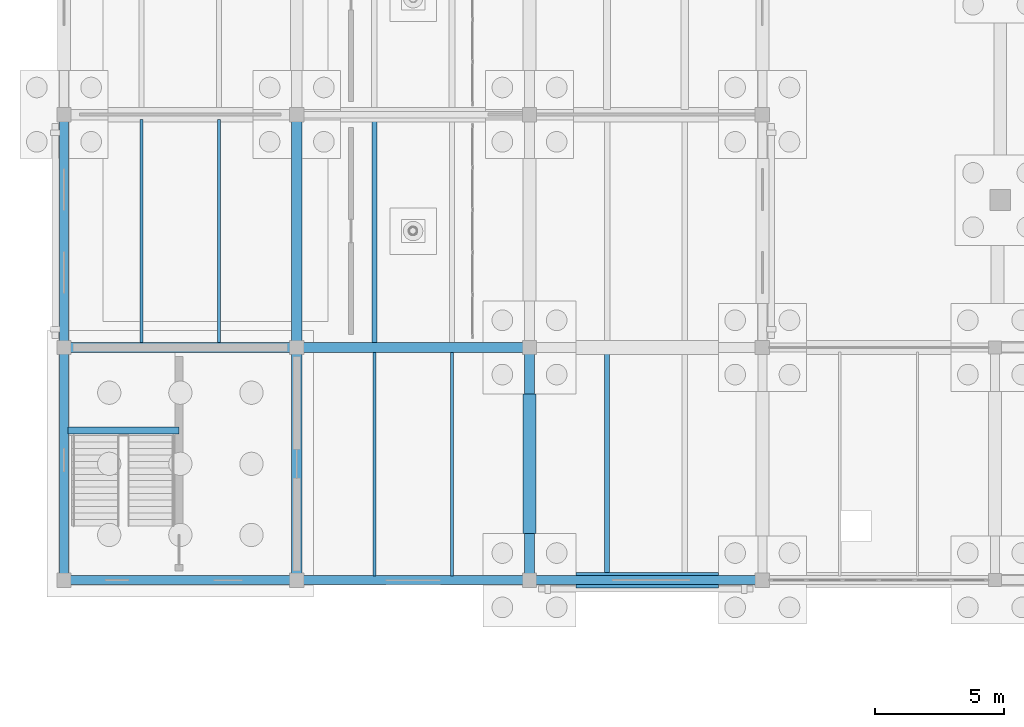
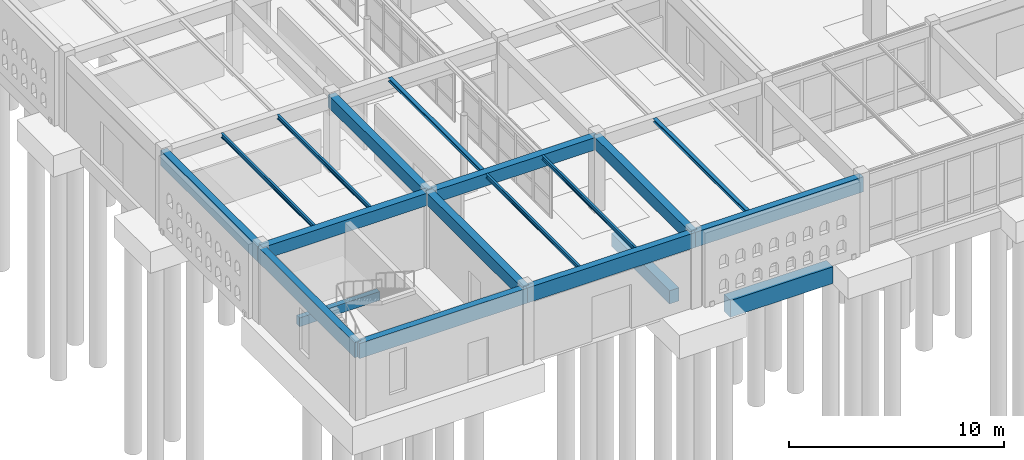
# One storey, part 23 of 186: 19 beams.
"""IFC4 building model written with IfcOpenShell, lengths in metres."""

import ifcopenshell
import ifcopenshell.guid

model = None  # the IFC model being written
_history = None  # IfcOwnerHistory: only IFC2X3 demands one
_inside = {}  # id of a spatial element -> (the spatial element, [elements in it])
_under = {}  # id of a project, library or spatial element -> (it, [spatial elements below it])
_declared = {}  # id of a project -> (the project, [libraries it declares])
_typed = {}  # id of a type object -> (the type object, [elements of that type])
_made_of = {}  # id of a material, layer set ... -> (it, [elements and type objects made of it])


def new_model(schema):
    """Start an empty IFC model of exactly this schema.

    Asked for "IFC4X3", IfcOpenShell would pick the latest addendum, in which some entities
    have other attributes; the version numbers below select the first issue.
    IFC2X3 requires an IfcOwnerHistory on every rooted entity: one is made here for all.
    """
    global model, _history
    if schema == "IFC4X3":
        model = ifcopenshell.file(schema_version=(4, 3, 0, 0))
    else:
        model = ifcopenshell.file(schema=schema)
    _inside.clear()
    _under.clear()
    _declared.clear()
    _typed.clear()
    _made_of.clear()
    _history = None
    if model.schema == "IFC2X3":
        org = make("IfcOrganization", Name="unknown")
        user = make(
            "IfcPersonAndOrganization",
            ThePerson=make("IfcPerson", FamilyName="unknown"),
            TheOrganization=org,
        )
        app = make(
            "IfcApplication",
            ApplicationDeveloper=org,
            Version="unknown",
            ApplicationFullName="unknown",
            ApplicationIdentifier="unknown",
        )
        _history = make(
            "IfcOwnerHistory",
            OwningUser=user,
            OwningApplication=app,
            ChangeAction="ADDED",
            CreationDate=0,
        )
    return model


def make(cls, **values):
    """One entity of the class cls with the attributes given. An attribute that is None is left unset."""
    return model.create_entity(
        cls, **{name: value for name, value in values.items() if value is not None}
    )


def rooted(cls, **values):
    """An entity with a GlobalId (a new one), such as an element, a storey or a relation."""
    return make(cls, GlobalId=ifcopenshell.guid.new(), OwnerHistory=_history, **values)


def si_unit(unit_type, name, prefix=None):
    """IfcSIUnit, for example si_unit("LENGTHUNIT", "METRE", prefix="MILLI")."""
    return make("IfcSIUnit", UnitType=unit_type, Prefix=prefix, Name=name)


def assignment(units):
    """IfcUnitAssignment: the units of a project."""
    return None if units is None else make("IfcUnitAssignment", Units=units)


def point(xyz):
    """IfcCartesianPoint."""
    return None if xyz is None else make("IfcCartesianPoint", Coordinates=xyz)


def direction(xyz):
    """IfcDirection."""
    return None if xyz is None else make("IfcDirection", DirectionRatios=xyz)


def frame(location, z_axis=None, x_axis=None):
    """IfcAxis2Placement3D, a coordinate frame: its origin and axes. An axis left out is left unset."""
    return make(
        "IfcAxis2Placement3D",
        Location=point(location),
        Axis=direction(z_axis),
        RefDirection=direction(x_axis),
    )


def frame_2d(location, x_axis=None):
    """IfcAxis2Placement2D, a coordinate frame in the plane: its origin and x axis."""
    return make(
        "IfcAxis2Placement2D", Location=point(location), RefDirection=direction(x_axis)
    )


def origin():
    """The frame at (0, 0, 0) with its axes left unset."""
    return frame((0.0, 0.0, 0.0))


def origin_2d():
    """The frame at (0, 0) in the plane with its x axis left unset."""
    return frame_2d((0.0, 0.0))


def place(relative_to, where):
    """IfcLocalPlacement: puts the frame where relative to a parent placement (None: the world)."""
    return make(
        "IfcLocalPlacement", PlacementRelTo=relative_to, RelativePlacement=where
    )


def context(
    kind, dimensions, precision=None, world=None, true_north=None, identifier=None
):
    """IfcGeometricRepresentationContext, for example the 3D "Model" context."""
    return make(
        "IfcGeometricRepresentationContext",
        ContextIdentifier=identifier,
        ContextType=kind,
        CoordinateSpaceDimension=dimensions,
        Precision=precision,
        WorldCoordinateSystem=world,
        TrueNorth=true_north,
    )


def subcontext(parent, identifier, kind, view, scale=None):
    """IfcGeometricRepresentationSubContext, for example "Body" below "Model"."""
    return make(
        "IfcGeometricRepresentationSubContext",
        ContextIdentifier=identifier,
        ContextType=kind,
        ParentContext=parent,
        TargetScale=scale,
        TargetView=view,
    )


def project(units=None, contexts=None):
    """IfcProject with its units and contexts."""
    return rooted(
        "IfcProject",
        Name="project",
        RepresentationContexts=contexts,
        UnitsInContext=assignment(units),
    )


def spatial(cls, under=None, at=None, **own):
    """A site, building, storey or space (cls), placed at a placement, below another one or the project."""
    s = rooted(cls, ObjectPlacement=at, **own)
    if under is not None:
        _under.setdefault(under.id(), (under, []))[1].append(s)
    return s


def profile(cls, at=None, kind="AREA", **sizes):
    """A parametric profile (cls). Its sizes go by their IFC names, for example OverallWidth=200.0."""
    return make(cls, ProfileType=kind, Position=at, **sizes)


def rectangle(**sizes):
    """IfcRectangleProfileDef."""
    return profile("IfcRectangleProfileDef", **sizes)


def i_section(**sizes):
    """IfcIShapeProfileDef."""
    return profile("IfcIShapeProfileDef", **sizes)


def extrude(swept, where, along, depth):
    """IfcExtrudedAreaSolid: the profile swept, set in the frame where, extruded along a direction by depth."""
    return make(
        "IfcExtrudedAreaSolid",
        SweptArea=swept,
        Position=where,
        ExtrudedDirection=direction(along),
        Depth=depth,
    )


def shape(context_of_items, identifier, shape_type, items):
    """IfcShapeRepresentation: the items that make up one representation, for example the "Body"."""
    return make(
        "IfcShapeRepresentation",
        ContextOfItems=context_of_items,
        RepresentationIdentifier=identifier,
        RepresentationType=shape_type,
        Items=items,
    )


def material(Name=None, Category=None):
    """IfcMaterial."""
    return make("IfcMaterial", Name=Name, Category=Category)


def material_profile(
    of_material, cross_section, Name=None, Category=None, Priority=None
):
    """IfcMaterialProfile: a cross section and its material."""
    return make(
        "IfcMaterialProfile",
        Name=Name,
        Material=of_material,
        Profile=cross_section,
        Priority=Priority,
        Category=Category,
    )


def profile_set(profiles, Name=None, composite=None):
    """IfcMaterialProfileSet."""
    return make(
        "IfcMaterialProfileSet",
        Name=Name,
        MaterialProfiles=profiles,
        CompositeProfile=composite,
    )


def made_of(thing, what):
    """Note that an element or type object is made of a material, layer set ...; save() writes the relation."""
    if what is not None:
        _made_of.setdefault(what.id(), (what, []))[1].append(thing)
    return thing


def type_object(cls, material=None, **own):
    """A type object (cls), such as IfcWallType, which elements share."""
    return made_of(rooted(cls, **own), material)


def element(
    cls,
    number,
    at=None,
    inside=None,
    cuts=None,
    type_object=None,
    material=None,
    context=None,
    identifier="Body",
    shape_type=None,
    held_by="IfcProductDefinitionShape",
    body=None,
    shapes=None,
    **own,
):
    """One element of the class cls, such as IfcWall. Its Tag is "e" and its number.

    at: its placement. inside: the storey or other place that contains it. cuts: it is an
    opening in that element (IfcRelVoidsElement). A single representation is given by context,
    identifier, shape_type and body (its items); several are given by shapes. held_by: the class
    of the entity that holds the representations. save() writes the other relations.
    """
    e = rooted(cls, Tag="e%d" % number, ObjectPlacement=at, **own)
    if body is not None:
        shapes = [shape(context, identifier, shape_type, body)]
    if shapes is not None:
        e.Representation = make(held_by, Representations=shapes)
    if inside is not None:
        _inside.setdefault(inside.id(), (inside, []))[1].append(e)
    if cuts is not None:
        rooted(
            "IfcRelVoidsElement", RelatingBuildingElement=cuts, RelatedOpeningElement=e
        )
    if type_object is not None:
        _typed.setdefault(type_object.id(), (type_object, []))[1].append(e)
    return made_of(e, material)


def aggregate(whole, parts):
    """IfcRelAggregates: a whole, such as a stair, and the parts it consists of."""
    return rooted("IfcRelAggregates", RelatingObject=whole, RelatedObjects=parts)


def save(model, path):
    """Write the relations noted so far, then the file.

    IfcRelAggregates (storeys below a building ...), IfcRelContainedInSpatialStructure (elements
    in a storey), IfcRelDefinesByType, IfcRelAssociatesMaterial and IfcRelDeclares: one each for
    every whole, place, type object, material and project.
    """
    for whole, parts in _under.values():
        aggregate(whole, parts)
    for where, things in _inside.values():
        rooted(
            "IfcRelContainedInSpatialStructure",
            RelatedElements=things,
            RelatingStructure=where,
        )
    for kind, things in _typed.values():
        rooted("IfcRelDefinesByType", RelatedObjects=things, RelatingType=kind)
    for what, things in _made_of.values():
        rooted("IfcRelAssociatesMaterial", RelatedObjects=things, RelatingMaterial=what)
    for by, libraries in _declared.values():
        rooted("IfcRelDeclares", RelatingContext=by, RelatedDefinitions=libraries)
    model.write(path)


model = new_model("IFC4")

# Units and contexts
model_context = context("Model", 3, precision=1e-05, world=origin(), true_north=direction((0.0, 1.0)))
body_context = subcontext(model_context, "Body", "Model", "MODEL_VIEW")
ifc_project = project(units=[si_unit("LENGTHUNIT", "METRE"), si_unit("AREAUNIT", "SQUARE_METRE"), si_unit("VOLUMEUNIT", "CUBIC_METRE"), si_unit("PLANEANGLEUNIT", "RADIAN"), si_unit("MASSUNIT", "GRAM", prefix="KILO")], contexts=[model_context])

# Site, building, storey
site_placement = place(None, origin())
site = spatial("IfcSite", under=ifc_project, at=site_placement, CompositionType="ELEMENT")
building_placement = place(site_placement, origin())
building = spatial("IfcBuilding", under=site, at=building_placement, Name="Ornek Quay Market", CompositionType="ELEMENT")
storey_placement = place(building_placement, origin())
storey = spatial("IfcBuildingStorey", under=building, at=storey_placement, Name="L00", CompositionType="ELEMENT", Elevation=0.0)

# Beams
ifc_material_1 = material(Name="Concrete C35/45", Category="concrete")
ifc_material_profile_1 = material_profile(ifc_material_1, rectangle(XDim=0.5, YDim=0.75, at=origin_2d()), Name="RC 500x750", Category="concrete")
ifc_profile_set_1 = profile_set([ifc_material_profile_1], Name="Concrete C35/45")
beam_type_1 = type_object("IfcBeamType", Name="BM-GB-500x750", PredefinedType="BEAM", material=ifc_profile_set_1)
beam_1_placement = place(storey_placement, frame((18.0, 21.800048828125, -0.574951171875), z_axis=(0.0, 1.0, 0.0), x_axis=(-1.0, 0.0, 0.0)))
element("IfcBeam", 1, at=beam_1_placement, inside=storey, type_object=beam_type_1, Name="Ground tie beam GB-066", PredefinedType="BEAM", context=body_context, shape_type="SweptSolid", body=[
    extrude(rectangle(XDim=0.5, YDim=0.75, at=origin_2d()), origin(), (0.0, 0.0, 1.0), 5.39990234375),
])
ifc_material_profile_2 = material_profile(ifc_material_1, rectangle(XDim=0.60009765625, YDim=0.949951171875, at=origin_2d()), Name="RC 600x950", Category="concrete")
ifc_profile_set_2 = profile_set([ifc_material_profile_2], Name="Concrete C35/45")
beam_type_2 = type_object("IfcBeamType", Name="BM-GB-600x950", PredefinedType="BEAM", material=ifc_profile_set_2)
beam_2_placement = place(storey_placement, frame((19.800048828125, 20.0, -0.675048828125), z_axis=(1.0, 0.0, 0.0), x_axis=(0.0, 1.0, 0.0)))
element("IfcBeam", 2, at=beam_2_placement, inside=storey, type_object=beam_type_2, Name="Ground tie beam GB-001", PredefinedType="BEAM", context=body_context, shape_type="SweptSolid", body=[
    extrude(rectangle(XDim=0.60009765625, YDim=0.949951171875, at=origin_2d()), origin(), (0.0, 0.0, 1.0), 5.5),
])
ifc_material_profile_3 = material_profile(ifc_material_1, rectangle(XDim=0.280029296875, YDim=0.5, at=origin_2d()), Name="RC 280x500", Category="concrete")
ifc_profile_set_3 = profile_set([ifc_material_profile_3], Name="Concrete C35/45")
beam_type_3 = type_object("IfcBeamType", Name="BM-SEC-280x500", PredefinedType="JOIST", material=ifc_profile_set_3)
beam_3_placement = place(storey_placement, frame((0.14990234375, 25.7919921875, 1.8349609375), z_axis=(1.0, 0.0, 0.0), x_axis=(0.0, 1.0, 0.0)))
element("IfcBeam", 3, at=beam_3_placement, inside=storey, type_object=beam_type_3, Name="Stair landing beam BL-02", PredefinedType="JOIST", context=body_context, shape_type="SweptSolid", body=[
    extrude(rectangle(XDim=0.280029296875, YDim=0.5, at=origin_2d()), origin(), (0.0, 0.0, 1.0), 4.300048828125),
])
ifc_material_2 = material(Name="Concrete C40/50", Category="concrete")
ifc_material_profile_4 = material_profile(ifc_material_2, rectangle(XDim=0.35009765625, YDim=0.85009765625, at=origin_2d()), Name="RC 350x850", Category="concrete")
ifc_profile_set_4 = profile_set([ifc_material_profile_4], Name="Concrete C40/50")
beam_type_4 = type_object("IfcBeamType", Name="BM-SPN-350x850", PredefinedType="SPANDREL", material=ifc_profile_set_4)
for number, where, z_axis, x_axis, name in (
    (4, (0.0, 20.0, 3.794921875), (1.0, 0.0, 0.0), (0.0, 1.0, 0.0), "Primary beam B-SP1-047"),
    (5, (9.0, 20.0, 3.794921875), (1.0, 0.0, 0.0), (0.0, 1.0, 0.0), "Primary beam B-SP1-048"),
    (6, (18.0, 20.0, 3.794921875), (1.0, 0.0, 0.0), (0.0, 1.0, 0.0), "Primary beam B-SP1-049"),
    (7, (0.0, 20.0, 3.794921875), (0.0, 1.0, 0.0), (-1.0, 0.0, 0.0), "Primary beam B-SP1-050"),
    (8, (0.0, 29.0, 3.794921875), (0.0, 1.0, 0.0), (-1.0, 0.0, 0.0), "Primary beam B-SP1-051"),
):
    element("IfcBeam", number, at=place(storey_placement, frame(where, z_axis=z_axis, x_axis=x_axis)), inside=storey, type_object=beam_type_4, Name=name, PredefinedType="SPANDREL", context=body_context, shape_type="SweptSolid", body=[
        extrude(rectangle(XDim=0.35009765625, YDim=0.85009765625, at=origin_2d()), origin(), (0.0, 0.0, 1.0), 9.0),
    ])
ifc_material_3 = material(Name="Steel S355", Category="steel")
ifc_material_profile_5 = material_profile(ifc_material_3, i_section(OverallWidth=0.199951171875, OverallDepth=0.18994140625, WebThickness=0.006591796875, FlangeThickness=0.010009765625, FilletRadius=0.01806640625, at=origin_2d()), Name="HEA 200", Category="steel")
ifc_profile_set_5 = profile_set([ifc_material_profile_5], Name="Steel S355")
beam_type_5 = type_object("IfcBeamType", Name="BM-STL-HEA200", PredefinedType="BEAM", material=ifc_profile_set_5)
beam_4_placement = place(storey_placement, frame((12.0, 29.19189453125, 4.125), z_axis=(0.0, 1.0, 0.0), x_axis=(-1.0, 0.0, 0.0)))
element("IfcBeam", 9, at=beam_4_placement, inside=storey, type_object=beam_type_5, Name="Secondary joist SB-12-005", PredefinedType="BEAM", context=body_context, shape_type="SweptSolid", body=[
    extrude(i_section(OverallWidth=0.199951171875, OverallDepth=0.18994140625, WebThickness=0.006591796875, FlangeThickness=0.010009765625, FilletRadius=0.01806640625, at=origin_2d()), origin(), (0.0, 0.0, 1.0), 8.6162109375),
])
beam_5_placement = place(storey_placement, frame((21.0, 20.1669921875, 4.125), z_axis=(0.0, 1.0, 0.0), x_axis=(-1.0, 0.0, 0.0)))
element("IfcBeam", 10, at=beam_5_placement, inside=storey, type_object=beam_type_5, Name="Secondary joist SB-12-011", PredefinedType="BEAM", context=body_context, shape_type="SweptSolid", body=[
    extrude(i_section(OverallWidth=0.199951171875, OverallDepth=0.18994140625, WebThickness=0.006591796875, FlangeThickness=0.010009765625, FilletRadius=0.01806640625, at=origin_2d()), origin(), (0.0, 0.0, 1.0), 8.64111328125),
])
ifc_material_profile_6 = material_profile(ifc_material_3, i_section(OverallWidth=0.1201171875, OverallDepth=0.239990234375, WebThickness=0.006103515625, FlangeThickness=0.009765625, FilletRadius=0.014892578125, at=origin_2d()), Name="IPE 240", Category="steel")
ifc_profile_set_6 = profile_set([ifc_material_profile_6], Name="Steel S355")
beam_type_6 = type_object("IfcBeamType", Name="BM-STL-IPE240", PredefinedType="JOIST", material=ifc_profile_set_6)
for number, where, z_axis, x_axis, name in (
    (11, (3.0, 29.19189453125, 4.10009765625), (0.0, 1.0, 0.0), (-1.0, 0.0, 0.0), "Secondary joist SB-04-001"),
    (12, (6.0, 29.19189453125, 4.10009765625), (0.0, 1.0, 0.0), (-1.0, 0.0, 0.0), "Secondary joist SB-04-002"),
):
    element("IfcBeam", number, at=place(storey_placement, frame(where, z_axis=z_axis, x_axis=x_axis)), inside=storey, type_object=beam_type_6, Name=name, PredefinedType="JOIST", context=body_context, shape_type="SweptSolid", body=[
        extrude(i_section(OverallWidth=0.1201171875, OverallDepth=0.239990234375, WebThickness=0.006103515625, FlangeThickness=0.009765625, FilletRadius=0.014892578125, at=origin_2d()), origin(), (0.0, 0.0, 1.0), 8.6162109375),
    ])
for number, where, z_axis, x_axis, name in (
    (13, (12.0, 20.1669921875, 4.10009765625), (0.0, 1.0, 0.0), (-1.0, 0.0, 0.0), "Secondary joist SB-04-007"),
    (14, (15.0, 20.1669921875, 4.10009765625), (0.0, 1.0, 0.0), (-1.0, 0.0, 0.0), "Secondary joist SB-04-008"),
):
    element("IfcBeam", number, at=place(storey_placement, frame(where, z_axis=z_axis, x_axis=x_axis)), inside=storey, type_object=beam_type_6, Name=name, PredefinedType="JOIST", context=body_context, shape_type="SweptSolid", body=[
        extrude(i_section(OverallWidth=0.1201171875, OverallDepth=0.239990234375, WebThickness=0.006103515625, FlangeThickness=0.009765625, FilletRadius=0.014892578125, at=origin_2d()), origin(), (0.0, 0.0, 1.0), 8.64111328125),
    ])
ifc_material_profile_7 = material_profile(ifc_material_1, rectangle(XDim=0.39990234375, YDim=0.699951171875, at=origin_2d()), Name="RC 400x700", Category="concrete")
ifc_profile_set_7 = profile_set([ifc_material_profile_7], Name="Concrete C35/45")
beam_type_7 = type_object("IfcBeamType", Name="BM-WW-400x700", PredefinedType="BEAM", material=ifc_profile_set_7)
for number, where, z_axis, x_axis, name in (
    (15, (0.0, 29.0, 3.8701171875), (1.0, 0.0, 0.0), (0.0, 1.0, 0.0), "Primary beam B-WW1-001"),
    (16, (9.0, 29.0, 3.8701171875), (1.0, 0.0, 0.0), (0.0, 1.0, 0.0), "Primary beam B-WW1-002"),
    (17, (9.0, 20.0, 3.8701171875), (0.0, 1.0, 0.0), (-1.0, 0.0, 0.0), "Primary beam B-WW1-028"),
    (18, (9.0, 29.0, 3.8701171875), (0.0, 1.0, 0.0), (-1.0, 0.0, 0.0), "Primary beam B-WW1-029"),
    (19, (18.0, 20.0, 3.8701171875), (0.0, 1.0, 0.0), (-1.0, 0.0, 0.0), "Primary beam B-WW1-038"),
):
    element("IfcBeam", number, at=place(storey_placement, frame(where, z_axis=z_axis, x_axis=x_axis)), inside=storey, type_object=beam_type_7, Name=name, PredefinedType="BEAM", context=body_context, shape_type="SweptSolid", body=[
        extrude(rectangle(XDim=0.39990234375, YDim=0.699951171875, at=origin_2d()), origin(), (0.0, 0.0, 1.0), 9.0),
    ])

save(model, "model.ifc")
